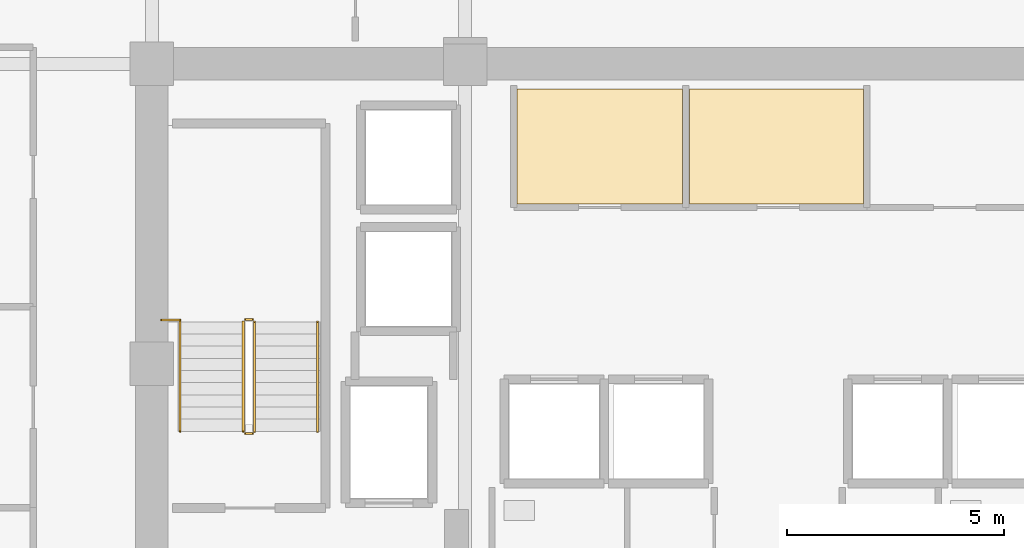
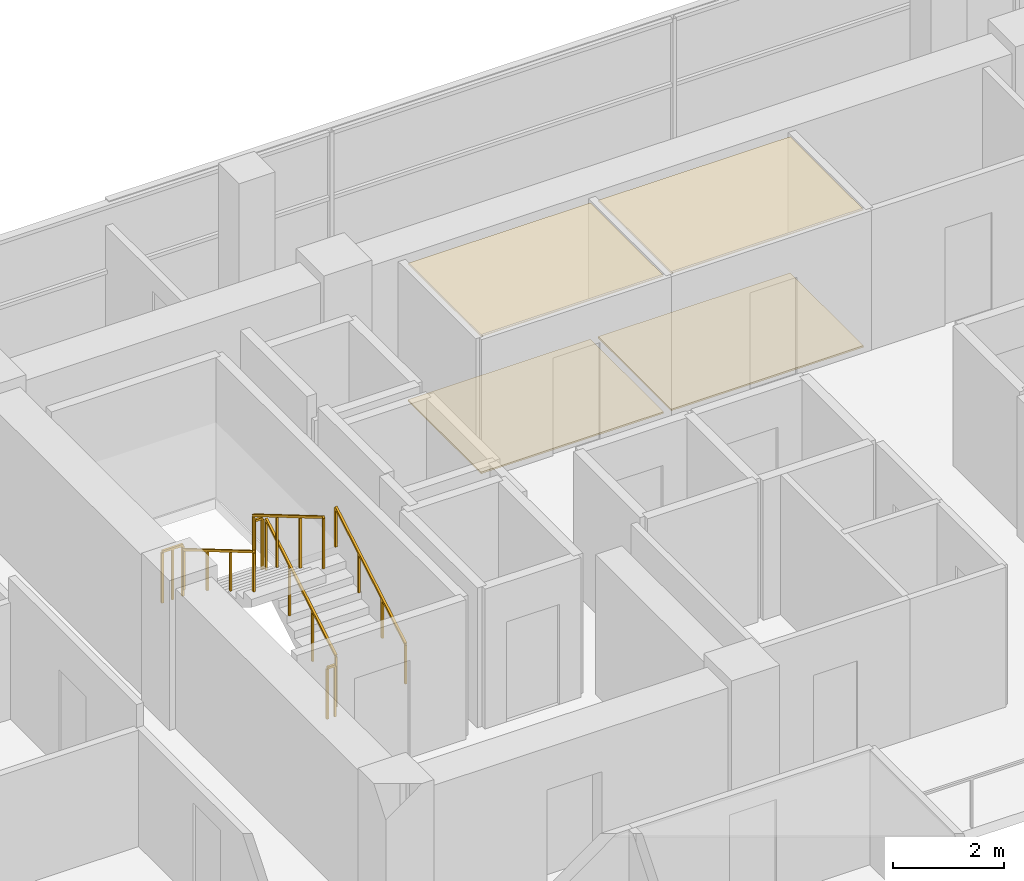
# One storey, part 21 of 23: 7 railings, 4 coverings.
"""IFC4 building model written with IfcOpenShell, lengths in metres."""

from ifc_helpers import new_model, si_unit, direction, frame, origin, origin_2d, place, context, subcontext, project, spatial, polyline, rectangle, outline, extrude, material, layer, layer_set, type_object, element, save


model = new_model("IFC4")

# Units and contexts
model_context = context("Model", 3, precision=1e-05, world=origin(), true_north=direction((0.0, 1.0)))
body_context = subcontext(model_context, "Body", "Model", "MODEL_VIEW")
ifc_project = project(units=[si_unit("LENGTHUNIT", "METRE"), si_unit("AREAUNIT", "SQUARE_METRE"), si_unit("VOLUMEUNIT", "CUBIC_METRE"), si_unit("PLANEANGLEUNIT", "RADIAN"), si_unit("MASSUNIT", "GRAM", prefix="KILO")], contexts=[model_context])

# Site, building, storey
site_placement = place(None, origin())
site = spatial("IfcSite", under=ifc_project, at=site_placement, CompositionType="ELEMENT")
building_placement = place(site_placement, origin())
building = spatial("IfcBuilding", under=site, at=building_placement, Name="Zarnakvel Exchange Tower", CompositionType="ELEMENT")
storey_placement = place(building_placement, frame((0.0, 0.0, 175.89990234375)))
storey = spatial("IfcBuildingStorey", under=building, at=storey_placement, Name="L49", CompositionType="ELEMENT", Elevation=175.89990234375)

# Coverings
ifc_material_1 = material(Name="Perforated Bronze Acoustic Metal Ceiling", Category="aluminium")
ifc_layer_1 = layer(ifc_material_1, 0.02001953125)
ifc_layer_set_1 = layer_set([ifc_layer_1], Name="Perforated Bronze Acoustic Metal Ceiling")
covering_type_1 = type_object("IfcCoveringType", Name="CLG-01", PredefinedType="CEILING", material=ifc_layer_set_1)
covering_1_placement = place(storey_placement, frame((0.0, 0.0, 3.01513671875)))
element("IfcCovering", 1, at=covering_1_placement, inside=storey, type_object=covering_type_1, Name="L49 Suspended Acoustic Ceiling (Clearing Records Office)", PredefinedType="CEILING", context=body_context, shape_type="SweptSolid", body=[
    extrude(outline(polyline([(-6.0, 12.919921875), (-2.199951171875, 12.919921875), (-2.199951171875, 10.280029296875), (-6.0, 10.280029296875), (-6.0, 12.919921875)])), origin(), (0.0, 0.0, 1.0), 0.02001953125),
])
covering_2_placement = place(storey_placement, frame((0.0, 0.0, 3.01513671875)))
element("IfcCovering", 2, at=covering_2_placement, inside=storey, type_object=covering_type_1, Name="L49 Suspended Acoustic Ceiling (Brokerage Filing Room)", PredefinedType="CEILING", context=body_context, shape_type="SweptSolid", body=[
    extrude(outline(polyline([(-2.0400390625, 12.919921875), (1.9599609375, 12.919921875), (1.9599609375, 10.280029296875), (-2.0400390625, 10.280029296875), (-2.0400390625, 12.919921875)])), origin(), (0.0, 0.0, 1.0), 0.02001953125),
])
ifc_material_2 = material(Name="Heavy-Duty Raised Access Floor Panel", Category="steel")
ifc_layer_2 = layer(ifc_material_2, 0.034912109375)
ifc_layer_set_2 = layer_set([ifc_layer_2], Name="Heavy-Duty Raised Access Floor Panel")
covering_type_2 = type_object("IfcCoveringType", Name="FLR-02", PredefinedType="FLOORING", material=ifc_layer_set_2)
covering_3_placement = place(storey_placement, origin())
element("IfcCovering", 3, at=covering_3_placement, inside=storey, type_object=covering_type_2, Name="L49 Floor Finish (Clearing Records Office)", PredefinedType="FLOORING", context=body_context, shape_type="SweptSolid", body=[
    extrude(outline(polyline([(-6.0, 12.919921875), (-2.199951171875, 12.919921875), (-2.199951171875, 10.280029296875), (-6.0, 10.280029296875), (-6.0, 12.919921875)])), origin(), (0.0, 0.0, 1.0), 0.03515625),
])
covering_4_placement = place(storey_placement, origin())
element("IfcCovering", 4, at=covering_4_placement, inside=storey, type_object=covering_type_2, Name="L49 Floor Finish (Brokerage Filing Room)", PredefinedType="FLOORING", context=body_context, shape_type="SweptSolid", body=[
    extrude(outline(polyline([(-2.0400390625, 12.919921875), (1.9599609375, 12.919921875), (1.9599609375, 10.280029296875), (-2.0400390625, 10.280029296875), (-2.0400390625, 12.919921875)])), origin(), (0.0, 0.0, 1.0), 0.03515625),
])

# Railings
ifc_material_3 = material(Name="Brushed Stainless Steel", Category="steel")
railing_type_1 = type_object("IfcRailingType", Name="HR-01", PredefinedType="HANDRAIL", material=ifc_material_3)
railing_1_placement = place(storey_placement, frame((-10.590087890625, 5.050048828125, 0.1650390625)))
element("IfcRailing", 5, at=railing_1_placement, inside=storey, type_object=railing_type_1, Name="L49 ST-01 stair handrail 1", PredefinedType="HANDRAIL", context=body_context, shape_type="SweptSolid", body=[
    extrude(rectangle(XDim=0.048095703125, YDim=0.048095703125, at=origin_2d()), frame((0.0, 0.0, 0.8759765625), z_axis=(0.0, 0.86152411907, 0.507716645641), x_axis=(-1.0, 0.0, 0.0)), (0.0, 0.0, 1.0), 2.925048828125),
    extrude(rectangle(XDim=0.0419921875, YDim=0.0419921875, at=origin_2d()), origin(), (0.0, 0.0, 1.0), 0.851806640625),
    extrude(rectangle(XDim=0.0419921875, YDim=0.0419921875, at=origin_2d()), frame((0.0, 0.840087890625, 0.4951171875)), (0.0, 0.0, 1.0), 0.851806640625),
    extrude(rectangle(XDim=0.0419921875, YDim=0.0419921875, at=origin_2d()), frame((0.0, 1.679931640625, 0.989990234375)), (0.0, 0.0, 1.0), 0.851806640625),
    extrude(rectangle(XDim=0.0419921875, YDim=0.0419921875, at=origin_2d()), frame((0.0, 2.52001953125, 1.485107421875)), (0.0, 0.0, 1.0), 0.851806640625),
])
railing_2_placement = place(storey_placement, frame((-13.75, 7.570068359375, 1.815185546875)))
element("IfcRailing", 6, at=railing_2_placement, inside=storey, type_object=railing_type_1, Name="L49 ST-01 stair handrail 2", PredefinedType="HANDRAIL", context=body_context, shape_type="SweptSolid", body=[
    extrude(rectangle(XDim=0.048095703125, YDim=0.048095703125, at=origin_2d()), frame((0.0, 0.0, 0.8759765625), z_axis=(0.0, -0.861560626758, 0.507654692109), x_axis=(1.0, 0.0, 0.0)), (0.0, 0.0, 1.0), 2.925048828125),
    extrude(rectangle(XDim=0.0419921875, YDim=0.0419921875, at=origin_2d()), origin(), (0.0, 0.0, 1.0), 0.851806640625),
    extrude(rectangle(XDim=0.0419921875, YDim=0.0419921875, at=origin_2d()), frame((0.0, -0.840087890625, 0.494873046875)), (0.0, 0.0, 1.0), 0.851806640625),
    extrude(rectangle(XDim=0.0419921875, YDim=0.0419921875, at=origin_2d()), frame((0.0, -1.679931640625, 0.989990234375)), (0.0, 0.0, 1.0), 0.851806640625),
    extrude(rectangle(XDim=0.0419921875, YDim=0.0419921875, at=origin_2d()), frame((0.0, -2.52001953125, 1.48486328125)), (0.0, 0.0, 1.0), 0.851806640625),
])
ifc_material_4 = material(Name="Architectural Bronze Anodised Aluminium", Category="aluminium")
railing_type_2 = type_object("IfcRailingType", Name="SG-01", PredefinedType="GUARDRAIL", material=ifc_material_4)
railing_3_placement = place(storey_placement, frame((-12.0400390625, 5.050048828125, 0.1650390625)))
element("IfcRailing", 7, at=railing_3_placement, inside=storey, type_object=railing_type_2, Name="L49 ST-01 stair guard 1", PredefinedType="GUARDRAIL", context=body_context, shape_type="SweptSolid", body=[
    extrude(rectangle(XDim=0.048095703125, YDim=0.048095703125, at=origin_2d()), frame((0.0, 0.0, 1.1259765625), z_axis=(0.0, 0.86152411907, 0.507716645641), x_axis=(-1.0, 0.0, 0.0)), (0.0, 0.0, 1.0), 2.925048828125),
    extrude(rectangle(XDim=0.0419921875, YDim=0.0419921875, at=origin_2d()), origin(), (0.0, 0.0, 1.0), 1.101806640625),
    extrude(rectangle(XDim=0.0419921875, YDim=0.0419921875, at=origin_2d()), frame((0.0, 0.840087890625, 0.4951171875)), (0.0, 0.0, 1.0), 1.101806640625),
    extrude(rectangle(XDim=0.0419921875, YDim=0.0419921875, at=origin_2d()), frame((0.0, 1.679931640625, 0.989990234375)), (0.0, 0.0, 1.0), 1.101806640625),
    extrude(rectangle(XDim=0.0419921875, YDim=0.0419921875, at=origin_2d()), frame((0.0, 2.52001953125, 1.485107421875)), (0.0, 0.0, 1.0), 1.101806640625),
])
railing_4_placement = place(storey_placement, frame((-12.090087890625, 7.6201171875, 1.650146484375)))
element("IfcRailing", 8, at=railing_4_placement, inside=storey, type_object=railing_type_2, Name="L49 ST-01 stair guard 2", PredefinedType="GUARDRAIL", context=body_context, shape_type="SweptSolid", body=[
    extrude(rectangle(XDim=0.048095703125, YDim=0.048095703125, at=origin_2d()), frame((0.0, 0.0, 1.1259765625), z_axis=(-1.0, 0.0, 0.0), x_axis=(0.0, -1.0, 0.0)), (0.0, 0.0, 1.0), 0.159912109375),
    extrude(rectangle(XDim=0.0419921875, YDim=0.0419921875, at=origin_2d()), origin(), (0.0, 0.0, 1.0), 1.101806640625),
    extrude(rectangle(XDim=0.0419921875, YDim=0.0419921875, at=origin_2d()), frame((-0.159912109375, 0.0, 0.0)), (0.0, 0.0, 1.0), 1.101806640625),
])
railing_5_placement = place(storey_placement, frame((-12.300048828125, 7.570068359375, 1.815185546875)))
element("IfcRailing", 9, at=railing_5_placement, inside=storey, type_object=railing_type_2, Name="L49 ST-01 stair guard 3", PredefinedType="GUARDRAIL", context=body_context, shape_type="SweptSolid", body=[
    extrude(rectangle(XDim=0.048095703125, YDim=0.048095703125, at=origin_2d()), frame((0.0, 0.0, 1.1259765625), z_axis=(0.0, -0.861560626758, 0.507654692109), x_axis=(1.0, 0.0, 0.0)), (0.0, 0.0, 1.0), 2.925048828125),
    extrude(rectangle(XDim=0.0419921875, YDim=0.0419921875, at=origin_2d()), origin(), (0.0, 0.0, 1.0), 1.101806640625),
    extrude(rectangle(XDim=0.0419921875, YDim=0.0419921875, at=origin_2d()), frame((0.0, -0.840087890625, 0.494873046875)), (0.0, 0.0, 1.0), 1.101806640625),
    extrude(rectangle(XDim=0.0419921875, YDim=0.0419921875, at=origin_2d()), frame((0.0, -1.679931640625, 0.989990234375)), (0.0, 0.0, 1.0), 1.101806640625),
    extrude(rectangle(XDim=0.0419921875, YDim=0.0419921875, at=origin_2d()), frame((0.0, -2.52001953125, 1.48486328125)), (0.0, 0.0, 1.0), 1.101806640625),
])
railing_6_placement = place(storey_placement, frame((-12.090087890625, 5.0, 0.0)))
element("IfcRailing", 10, at=railing_6_placement, inside=storey, type_object=railing_type_2, Name="L49 ST-01 stair guard 4", PredefinedType="GUARDRAIL", context=body_context, shape_type="SweptSolid", body=[
    extrude(rectangle(XDim=0.048095703125, YDim=0.048095703125, at=origin_2d()), frame((0.0, 0.0, 1.1259765625), z_axis=(-1.0, 0.0, 0.0), x_axis=(0.0, -1.0, 0.0)), (0.0, 0.0, 1.0), 0.159912109375),
    extrude(rectangle(XDim=0.0419921875, YDim=0.0419921875, at=origin_2d()), origin(), (0.0, 0.0, 1.0), 1.101806640625),
    extrude(rectangle(XDim=0.0419921875, YDim=0.0419921875, at=origin_2d()), frame((-0.159912109375, 0.0, 0.0)), (0.0, 0.0, 1.0), 1.101806640625),
])
railing_7_placement = place(storey_placement, frame((-14.179931640625, 7.610107421875, 1.650146484375)))
element("IfcRailing", 11, at=railing_7_placement, inside=storey, type_object=railing_type_2, Name="L49 ST-01 Landing Slot Guardrail", PredefinedType="GUARDRAIL", context=body_context, shape_type="SweptSolid", body=[
    extrude(rectangle(XDim=0.048095703125, YDim=0.048095703125, at=origin_2d()), frame((0.0, 0.0, 1.1259765625), z_axis=(1.0, 0.0, 0.0), x_axis=(0.0, 1.0, 0.0)), (0.0, 0.0, 1.0), 0.429931640625),
    extrude(rectangle(XDim=0.0419921875, YDim=0.0419921875, at=origin_2d()), origin(), (0.0, 0.0, 1.0), 1.101806640625),
    extrude(rectangle(XDim=0.0419921875, YDim=0.0419921875, at=origin_2d()), frame((0.21484375, 0.0, 0.0)), (0.0, 0.0, 1.0), 1.101806640625),
    extrude(rectangle(XDim=0.0419921875, YDim=0.0419921875, at=origin_2d()), frame((0.429931640625, 0.0, 0.0)), (0.0, 0.0, 1.0), 1.101806640625),
])

save(model, "model.ifc")
